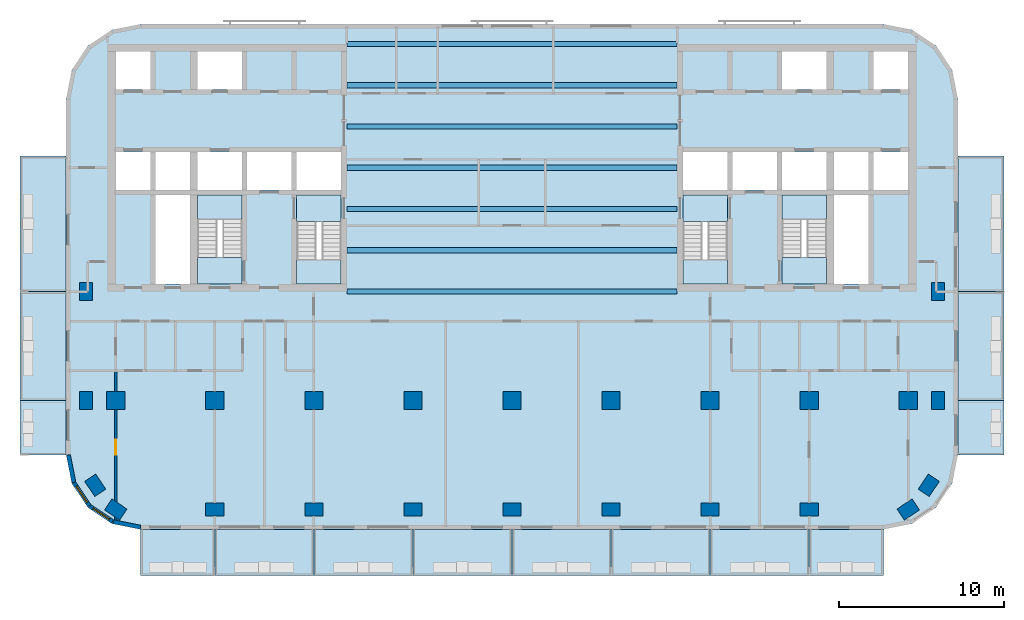
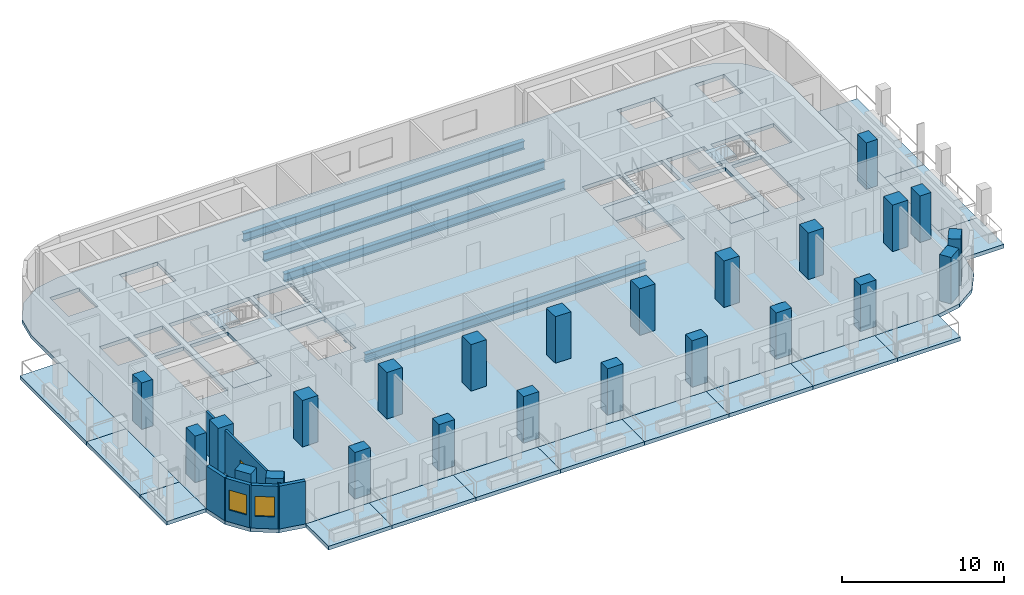
# One storey, part 1 of 11: 24 columns, 23 slabs, 7 beams, 5 walls, 2 windows, 1 door, 3 openings, 4 elements without a shape of their own.
"""IFC4 building model written with IfcOpenShell, lengths in metres."""

import ifcopenshell
import ifcopenshell.guid

model = None  # the IFC model being written
_history = None  # IfcOwnerHistory: only IFC2X3 demands one
_inside = {}  # id of a spatial element -> (the spatial element, [elements in it])
_under = {}  # id of a project, library or spatial element -> (it, [spatial elements below it])
_declared = {}  # id of a project -> (the project, [libraries it declares])
_typed = {}  # id of a type object -> (the type object, [elements of that type])
_made_of = {}  # id of a material, layer set ... -> (it, [elements and type objects made of it])


def new_model(schema):
    """Start an empty IFC model of exactly this schema.

    Asked for "IFC4X3", IfcOpenShell would pick the latest addendum, in which some entities
    have other attributes; the version numbers below select the first issue.
    IFC2X3 requires an IfcOwnerHistory on every rooted entity: one is made here for all.
    """
    global model, _history
    if schema == "IFC4X3":
        model = ifcopenshell.file(schema_version=(4, 3, 0, 0))
    else:
        model = ifcopenshell.file(schema=schema)
    _inside.clear()
    _under.clear()
    _declared.clear()
    _typed.clear()
    _made_of.clear()
    _history = None
    if model.schema == "IFC2X3":
        org = make("IfcOrganization", Name="unknown")
        user = make(
            "IfcPersonAndOrganization",
            ThePerson=make("IfcPerson", FamilyName="unknown"),
            TheOrganization=org,
        )
        app = make(
            "IfcApplication",
            ApplicationDeveloper=org,
            Version="unknown",
            ApplicationFullName="unknown",
            ApplicationIdentifier="unknown",
        )
        _history = make(
            "IfcOwnerHistory",
            OwningUser=user,
            OwningApplication=app,
            ChangeAction="ADDED",
            CreationDate=0,
        )
    return model


def make(cls, **values):
    """One entity of the class cls with the attributes given. An attribute that is None is left unset."""
    return model.create_entity(
        cls, **{name: value for name, value in values.items() if value is not None}
    )


def rooted(cls, **values):
    """An entity with a GlobalId (a new one), such as an element, a storey or a relation."""
    return make(cls, GlobalId=ifcopenshell.guid.new(), OwnerHistory=_history, **values)


def si_unit(unit_type, name, prefix=None):
    """IfcSIUnit, for example si_unit("LENGTHUNIT", "METRE", prefix="MILLI")."""
    return make("IfcSIUnit", UnitType=unit_type, Prefix=prefix, Name=name)


def assignment(units):
    """IfcUnitAssignment: the units of a project."""
    return None if units is None else make("IfcUnitAssignment", Units=units)


def point(xyz):
    """IfcCartesianPoint."""
    return None if xyz is None else make("IfcCartesianPoint", Coordinates=xyz)


def direction(xyz):
    """IfcDirection."""
    return None if xyz is None else make("IfcDirection", DirectionRatios=xyz)


def frame(location, z_axis=None, x_axis=None):
    """IfcAxis2Placement3D, a coordinate frame: its origin and axes. An axis left out is left unset."""
    return make(
        "IfcAxis2Placement3D",
        Location=point(location),
        Axis=direction(z_axis),
        RefDirection=direction(x_axis),
    )


def frame_2d(location, x_axis=None):
    """IfcAxis2Placement2D, a coordinate frame in the plane: its origin and x axis."""
    return make(
        "IfcAxis2Placement2D", Location=point(location), RefDirection=direction(x_axis)
    )


def origin():
    """The frame at (0, 0, 0) with its axes left unset."""
    return frame((0.0, 0.0, 0.0))


def origin_2d():
    """The frame at (0, 0) in the plane with its x axis left unset."""
    return frame_2d((0.0, 0.0))


def place(relative_to, where):
    """IfcLocalPlacement: puts the frame where relative to a parent placement (None: the world)."""
    return make(
        "IfcLocalPlacement", PlacementRelTo=relative_to, RelativePlacement=where
    )


def context(
    kind, dimensions, precision=None, world=None, true_north=None, identifier=None
):
    """IfcGeometricRepresentationContext, for example the 3D "Model" context."""
    return make(
        "IfcGeometricRepresentationContext",
        ContextIdentifier=identifier,
        ContextType=kind,
        CoordinateSpaceDimension=dimensions,
        Precision=precision,
        WorldCoordinateSystem=world,
        TrueNorth=true_north,
    )


def subcontext(parent, identifier, kind, view, scale=None):
    """IfcGeometricRepresentationSubContext, for example "Body" below "Model"."""
    return make(
        "IfcGeometricRepresentationSubContext",
        ContextIdentifier=identifier,
        ContextType=kind,
        ParentContext=parent,
        TargetScale=scale,
        TargetView=view,
    )


def project(units=None, contexts=None):
    """IfcProject with its units and contexts."""
    return rooted(
        "IfcProject",
        Name="project",
        RepresentationContexts=contexts,
        UnitsInContext=assignment(units),
    )


def spatial(cls, under=None, at=None, **own):
    """A site, building, storey or space (cls), placed at a placement, below another one or the project."""
    s = rooted(cls, ObjectPlacement=at, **own)
    if under is not None:
        _under.setdefault(under.id(), (under, []))[1].append(s)
    return s


def polyline(points):
    """IfcPolyline through the points."""
    return make("IfcPolyline", Points=[point(p) for p in points])


def profile(cls, at=None, kind="AREA", **sizes):
    """A parametric profile (cls). Its sizes go by their IFC names, for example OverallWidth=200.0."""
    return make(cls, ProfileType=kind, Position=at, **sizes)


def rectangle(**sizes):
    """IfcRectangleProfileDef."""
    return profile("IfcRectangleProfileDef", **sizes)


def i_section(**sizes):
    """IfcIShapeProfileDef."""
    return profile("IfcIShapeProfileDef", **sizes)


def outline(outer, holes=None, kind="AREA"):
    """IfcArbitraryClosedProfileDef: a profile drawn as a closed curve; with holes, ...WithVoids."""
    if holes is None:
        return make("IfcArbitraryClosedProfileDef", ProfileType=kind, OuterCurve=outer)
    return make(
        "IfcArbitraryProfileDefWithVoids",
        ProfileType=kind,
        OuterCurve=outer,
        InnerCurves=holes,
    )


def extrude(swept, where, along, depth):
    """IfcExtrudedAreaSolid: the profile swept, set in the frame where, extruded along a direction by depth."""
    return make(
        "IfcExtrudedAreaSolid",
        SweptArea=swept,
        Position=where,
        ExtrudedDirection=direction(along),
        Depth=depth,
    )


def shape(context_of_items, identifier, shape_type, items):
    """IfcShapeRepresentation: the items that make up one representation, for example the "Body"."""
    return make(
        "IfcShapeRepresentation",
        ContextOfItems=context_of_items,
        RepresentationIdentifier=identifier,
        RepresentationType=shape_type,
        Items=items,
    )


def material(Name=None, Category=None):
    """IfcMaterial."""
    return make("IfcMaterial", Name=Name, Category=Category)


def layer(
    of_material, thickness, ventilated=None, Name=None, Category=None, Priority=None
):
    """IfcMaterialLayer: one layer of a wall or slab, of a material (None: an air gap)."""
    return make(
        "IfcMaterialLayer",
        Material=of_material,
        LayerThickness=thickness,
        IsVentilated=ventilated,
        Name=Name,
        Category=Category,
        Priority=Priority,
    )


def layer_set(layers, Name=None):
    """IfcMaterialLayerSet."""
    return make("IfcMaterialLayerSet", MaterialLayers=layers, LayerSetName=Name)


def material_profile(
    of_material, cross_section, Name=None, Category=None, Priority=None
):
    """IfcMaterialProfile: a cross section and its material."""
    return make(
        "IfcMaterialProfile",
        Name=Name,
        Material=of_material,
        Profile=cross_section,
        Priority=Priority,
        Category=Category,
    )


def profile_set(profiles, Name=None, composite=None):
    """IfcMaterialProfileSet."""
    return make(
        "IfcMaterialProfileSet",
        Name=Name,
        MaterialProfiles=profiles,
        CompositeProfile=composite,
    )


def made_of(thing, what):
    """Note that an element or type object is made of a material, layer set ...; save() writes the relation."""
    if what is not None:
        _made_of.setdefault(what.id(), (what, []))[1].append(thing)
    return thing


def type_object(cls, material=None, **own):
    """A type object (cls), such as IfcWallType, which elements share."""
    return made_of(rooted(cls, **own), material)


def element(
    cls,
    number,
    at=None,
    inside=None,
    cuts=None,
    type_object=None,
    material=None,
    context=None,
    identifier="Body",
    shape_type=None,
    held_by="IfcProductDefinitionShape",
    body=None,
    shapes=None,
    **own,
):
    """One element of the class cls, such as IfcWall. Its Tag is "e" and its number.

    at: its placement. inside: the storey or other place that contains it. cuts: it is an
    opening in that element (IfcRelVoidsElement). A single representation is given by context,
    identifier, shape_type and body (its items); several are given by shapes. held_by: the class
    of the entity that holds the representations. save() writes the other relations.
    """
    e = rooted(cls, Tag="e%d" % number, ObjectPlacement=at, **own)
    if body is not None:
        shapes = [shape(context, identifier, shape_type, body)]
    if shapes is not None:
        e.Representation = make(held_by, Representations=shapes)
    if inside is not None:
        _inside.setdefault(inside.id(), (inside, []))[1].append(e)
    if cuts is not None:
        rooted(
            "IfcRelVoidsElement", RelatingBuildingElement=cuts, RelatedOpeningElement=e
        )
    if type_object is not None:
        _typed.setdefault(type_object.id(), (type_object, []))[1].append(e)
    return made_of(e, material)


def fill(opening, filler):
    """IfcRelFillsElement: the door or window that sits in an opening."""
    return rooted(
        "IfcRelFillsElement",
        RelatingOpeningElement=opening,
        RelatedBuildingElement=filler,
    )


def aggregate(whole, parts):
    """IfcRelAggregates: a whole, such as a stair, and the parts it consists of."""
    return rooted("IfcRelAggregates", RelatingObject=whole, RelatedObjects=parts)


def save(model, path):
    """Write the relations noted so far, then the file.

    IfcRelAggregates (storeys below a building ...), IfcRelContainedInSpatialStructure (elements
    in a storey), IfcRelDefinesByType, IfcRelAssociatesMaterial and IfcRelDeclares: one each for
    every whole, place, type object, material and project.
    """
    for whole, parts in _under.values():
        aggregate(whole, parts)
    for where, things in _inside.values():
        rooted(
            "IfcRelContainedInSpatialStructure",
            RelatedElements=things,
            RelatingStructure=where,
        )
    for kind, things in _typed.values():
        rooted("IfcRelDefinesByType", RelatedObjects=things, RelatingType=kind)
    for what, things in _made_of.values():
        rooted("IfcRelAssociatesMaterial", RelatedObjects=things, RelatingMaterial=what)
    for by, libraries in _declared.values():
        rooted("IfcRelDeclares", RelatingContext=by, RelatedDefinitions=libraries)
    model.write(path)


model = new_model("IFC4")

# Units and contexts
model_context = context("Model", 3, precision=1e-05, world=origin(), true_north=direction((0.0, 1.0)))
body_context = subcontext(model_context, "Body", "Model", "MODEL_VIEW")
ifc_project = project(units=[si_unit("LENGTHUNIT", "METRE"), si_unit("AREAUNIT", "SQUARE_METRE"), si_unit("VOLUMEUNIT", "CUBIC_METRE"), si_unit("PLANEANGLEUNIT", "RADIAN"), si_unit("MASSUNIT", "GRAM", prefix="KILO")], contexts=[model_context])

# Site, building, storey
site_placement = place(None, origin())
site = spatial("IfcSite", under=ifc_project, at=site_placement, CompositionType="ELEMENT")
building_placement = place(site_placement, origin())
building = spatial("IfcBuilding", under=site, at=building_placement, Name="Torana Hotel and Residences", CompositionType="ELEMENT")
storey_placement = place(building_placement, frame((0.0, 0.0, 187.10009765625)))
storey = spatial("IfcBuildingStorey", under=building, at=storey_placement, Name="L48", CompositionType="ELEMENT", Elevation=187.10009765625)

# Columns
ifc_material_1 = material(Name="Concrete C60/75", Category="concrete")
ifc_material_profile_1 = material_profile(ifc_material_1, rectangle(XDim=1.10009765625, YDim=1.10009765625, at=origin_2d()), Name="RC 1100x1100")
ifc_profile_set_1 = profile_set([ifc_material_profile_1], Name="Concrete C60/75")
column_type_1 = type_object("IfcColumnType", Name="COLUMN RC 1100x1100 C60/75", PredefinedType="COLUMN", material=ifc_profile_set_1)
for number, where, z_axis, x_axis, name in (
    (1, (-24.0, -21.60009765625, 0.0), (0.0, 0.0, 1.0), (1.0, 0.0, 0.0), "Column L48"),
    (2, (-18.0, -21.60009765625, 0.0), (0.0, 0.0, 1.0), (1.0, 0.0, 0.0), "Column L48"),
    (3, (-12.0, -21.60009765625, 0.0), (0.0, 0.0, 1.0), (1.0, 0.0, 0.0), "Column L48"),
    (4, (-6.0, -21.60009765625, 0.0), (0.0, 0.0, 1.0), (1.0, 0.0, 0.0), "Column L48"),
    (5, (0.0, -21.60009765625, 0.0), (0.0, 0.0, 1.0), (1.0, 0.0, 0.0), "Column L48"),
    (6, (6.0, -21.60009765625, 0.0), (0.0, 0.0, 1.0), (1.0, 0.0, 0.0), "Column L48"),
    (7, (12.0, -21.60009765625, 0.0), (0.0, 0.0, 1.0), (1.0, 0.0, 0.0), "Column L48"),
    (8, (18.0, -21.60009765625, 0.0), (0.0, 0.0, 1.0), (1.0, 0.0, 0.0), "Column L48"),
    (9, (24.0, -21.60009765625, 0.0), (0.0, 0.0, 1.0), (1.0, 0.0, 0.0), "Column L48"),
):
    element("IfcColumn", number, at=place(storey_placement, frame(where, z_axis=z_axis, x_axis=x_axis)), inside=storey, type_object=column_type_1, Name=name, PredefinedType="COLUMN", context=body_context, shape_type="SweptSolid", body=[
        extrude(rectangle(XDim=1.10009765625, YDim=1.10009765625, at=origin_2d()), origin(), (0.0, 0.0, 1.0), 3.5),
    ])
ifc_material_2 = material(Name="Concrete C60/75", Category="concrete")
ifc_material_profile_2 = material_profile(ifc_material_2, rectangle(XDim=1.10009765625, YDim=0.800048828125, at=origin_2d()), Name="RC 1100x800")
ifc_profile_set_2 = profile_set([ifc_material_profile_2], Name="Concrete C60/75")
column_type_2 = type_object("IfcColumnType", Name="COLUMN RC 1100x800 C60/75", PredefinedType="COLUMN", material=ifc_profile_set_2)
for number, where, z_axis, x_axis, name in (
    (10, (-25.800048828125, -21.60009765625, 0.0), (0.0, 0.0, 1.0), (0.0, 1.0, 0.0), "Column L48"),
    (11, (-25.800048828125, -15.0, 0.0), (0.0, 0.0, 1.0), (0.0, 1.0, 0.0), "Column L48"),
    (12, (-25.243896484375, -26.73291015625, 0.0), (0.0, 0.0, 1.0), (-0.555584744817, 0.831459915646, 0.0), "Column L48"),
    (13, (-24.0, -28.199951171875, 0.0), (0.0, 0.0, 1.0), (-0.831459915646, 0.555584744817, 0.0), "Column L48"),
    (14, (-18.0, -28.199951171875, 0.0), (0.0, 0.0, 1.0), (1.0, 0.0, 0.0), "Column L48"),
    (15, (-12.0, -28.199951171875, 0.0), (0.0, 0.0, 1.0), (1.0, 0.0, 0.0), "Column L48"),
    (16, (-6.0, -28.199951171875, 0.0), (0.0, 0.0, 1.0), (1.0, 0.0, 0.0), "Column L48"),
    (17, (0.0, -28.199951171875, 0.0), (0.0, 0.0, 1.0), (1.0, 0.0, 0.0), "Column L48"),
    (18, (6.0, -28.199951171875, 0.0), (0.0, 0.0, 1.0), (1.0, 0.0, 0.0), "Column L48"),
    (19, (12.0, -28.199951171875, 0.0), (0.0, 0.0, 1.0), (1.0, 0.0, 0.0), "Column L48"),
    (20, (18.0, -28.199951171875, 0.0), (0.0, 0.0, 1.0), (1.0, 0.0, 0.0), "Column L48"),
    (21, (24.0, -28.199951171875, 0.0), (0.0, 0.0, 1.0), (0.831459915646, 0.555584744817, 0.0), "Column L48"),
    (22, (25.243896484375, -26.73291015625, 0.0), (0.0, 0.0, 1.0), (0.555584744817, 0.831459915646, 0.0), "Column L48"),
    (23, (25.800048828125, -21.60009765625, 0.0), (0.0, 0.0, 1.0), (0.0, 1.0, 0.0), "Column L48"),
    (24, (25.800048828125, -15.0, 0.0), (0.0, 0.0, 1.0), (0.0, 1.0, 0.0), "Column L48"),
):
    element("IfcColumn", number, at=place(storey_placement, frame(where, z_axis=z_axis, x_axis=x_axis)), inside=storey, type_object=column_type_2, Name=name, PredefinedType="COLUMN", context=body_context, shape_type="SweptSolid", body=[
        extrude(rectangle(XDim=1.10009765625, YDim=0.800048828125, at=origin_2d()), origin(), (0.0, 0.0, 1.0), 3.5),
    ])

# Beams
ifc_material_3 = material(Name="Steel S355", Category="steel")
ifc_material_profile_3 = material_profile(ifc_material_3, i_section(OverallWidth=0.311279296875, OverallDepth=0.6357421875, WebThickness=0.018310546875, FlangeThickness=0.031494140625, FilletRadius=0.0166015625, at=origin_2d()), Name="610x305x238 UB")
ifc_profile_set_3 = profile_set([ifc_material_profile_3], Name="Steel S355")
beam_type = type_object("IfcBeamType", Name="STEEL GIRDER 610x305x238 UB", PredefinedType="BEAM", material=ifc_profile_set_3)
for number, where, z_axis, x_axis, name in (
    (25, (-10.0, -15.0, -0.597900390625), (1.0, 0.0, 0.0), (0.0, 1.0, 0.0), "Floor girder"),
    (26, (-10.0, -12.5, -0.597900390625), (1.0, 0.0, 0.0), (0.0, 1.0, 0.0), "Floor girder"),
    (27, (-10.0, -10.0, -0.597900390625), (1.0, 0.0, 0.0), (0.0, 1.0, 0.0), "Floor girder"),
    (28, (-10.0, -7.5, -0.597900390625), (1.0, 0.0, 0.0), (0.0, 1.0, 0.0), "Floor girder"),
    (29, (-10.0, -5.0, -0.597900390625), (1.0, 0.0, 0.0), (0.0, 1.0, 0.0), "Floor girder"),
    (30, (-10.0, -2.5, -0.597900390625), (1.0, 0.0, 0.0), (0.0, 1.0, 0.0), "Floor girder"),
    (31, (-10.0, 0.0, -0.597900390625), (1.0, 0.0, 0.0), (0.0, 1.0, 0.0), "Floor girder"),
):
    element("IfcBeam", number, at=place(storey_placement, frame(where, z_axis=z_axis, x_axis=x_axis)), inside=storey, type_object=beam_type, Name=name, PredefinedType="BEAM", context=body_context, shape_type="SweptSolid", body=[
        extrude(i_section(OverallWidth=0.311279296875, OverallDepth=0.6357421875, WebThickness=0.018310546875, FlangeThickness=0.031494140625, FilletRadius=0.0166015625, at=origin_2d()), origin(), (0.0, 0.0, 1.0), 20.0),
    ])

# Slabs
ifc_material_4 = material(Name="Concrete C40/50", Category="concrete")
ifc_layer_1 = layer(ifc_material_4, 0.280029296875)
ifc_layer_set_1 = layer_set([ifc_layer_1], Name="BAL1 BALCONY SLAB 280")
slab_type_1 = type_object("IfcSlabType", Name="BAL1 BALCONY SLAB 280", PredefinedType="USERDEFINED", material=ifc_layer_set_1)
slab_1_placement = place(storey_placement, frame((0.0, 0.0, -0.280029296875)))
element("IfcSlab", 32, at=slab_1_placement, inside=storey, type_object=slab_type_1, Name="Balcony 01", ObjectType="BALCONY", PredefinedType="USERDEFINED", context=body_context, shape_type="SweptSolid", body=[
    extrude(outline(polyline([(-22.5, -32.199951171875), (-18.0, -32.199951171875), (-18.0, -29.39990234375), (-22.5, -29.39990234375), (-22.5, -32.199951171875)])), origin(), (0.0, 0.0, 1.0), 0.280029296875),
])
slab_2_placement = place(storey_placement, frame((0.0, 0.0, -0.280029296875)))
element("IfcSlab", 33, at=slab_2_placement, inside=storey, type_object=slab_type_1, Name="Balcony 02", ObjectType="BALCONY", PredefinedType="USERDEFINED", context=body_context, shape_type="SweptSolid", body=[
    extrude(outline(polyline([(-18.0, -32.199951171875), (-12.0, -32.199951171875), (-12.0, -29.39990234375), (-18.0, -29.39990234375), (-18.0, -32.199951171875)])), origin(), (0.0, 0.0, 1.0), 0.280029296875),
])
slab_3_placement = place(storey_placement, frame((0.0, 0.0, -0.280029296875)))
element("IfcSlab", 34, at=slab_3_placement, inside=storey, type_object=slab_type_1, Name="Balcony 03", ObjectType="BALCONY", PredefinedType="USERDEFINED", context=body_context, shape_type="SweptSolid", body=[
    extrude(outline(polyline([(-12.0, -32.199951171875), (-6.0, -32.199951171875), (-6.0, -29.39990234375), (-12.0, -29.39990234375), (-12.0, -32.199951171875)])), origin(), (0.0, 0.0, 1.0), 0.280029296875),
])
slab_4_placement = place(storey_placement, frame((0.0, 0.0, -0.280029296875)))
element("IfcSlab", 35, at=slab_4_placement, inside=storey, type_object=slab_type_1, Name="Balcony 04", ObjectType="BALCONY", PredefinedType="USERDEFINED", context=body_context, shape_type="SweptSolid", body=[
    extrude(outline(polyline([(-6.0, -32.199951171875), (0.0, -32.199951171875), (0.0, -29.39990234375), (-6.0, -29.39990234375), (-6.0, -32.199951171875)])), origin(), (0.0, 0.0, 1.0), 0.280029296875),
])
slab_5_placement = place(storey_placement, frame((0.0, 0.0, -0.280029296875)))
element("IfcSlab", 36, at=slab_5_placement, inside=storey, type_object=slab_type_1, Name="Balcony 05", ObjectType="BALCONY", PredefinedType="USERDEFINED", context=body_context, shape_type="SweptSolid", body=[
    extrude(outline(polyline([(0.0, -32.199951171875), (6.0, -32.199951171875), (6.0, -29.39990234375), (0.0, -29.39990234375), (0.0, -32.199951171875)])), origin(), (0.0, 0.0, 1.0), 0.280029296875),
])
slab_6_placement = place(storey_placement, frame((0.0, 0.0, -0.280029296875)))
element("IfcSlab", 37, at=slab_6_placement, inside=storey, type_object=slab_type_1, Name="Balcony 06", ObjectType="BALCONY", PredefinedType="USERDEFINED", context=body_context, shape_type="SweptSolid", body=[
    extrude(outline(polyline([(6.0, -32.199951171875), (12.0, -32.199951171875), (12.0, -29.39990234375), (6.0, -29.39990234375), (6.0, -32.199951171875)])), origin(), (0.0, 0.0, 1.0), 0.280029296875),
])
slab_7_placement = place(storey_placement, frame((0.0, 0.0, -0.280029296875)))
element("IfcSlab", 38, at=slab_7_placement, inside=storey, type_object=slab_type_1, Name="Balcony 07", ObjectType="BALCONY", PredefinedType="USERDEFINED", context=body_context, shape_type="SweptSolid", body=[
    extrude(outline(polyline([(12.0, -32.199951171875), (18.0, -32.199951171875), (18.0, -29.39990234375), (12.0, -29.39990234375), (12.0, -32.199951171875)])), origin(), (0.0, 0.0, 1.0), 0.280029296875),
])
slab_8_placement = place(storey_placement, frame((0.0, 0.0, -0.280029296875)))
element("IfcSlab", 39, at=slab_8_placement, inside=storey, type_object=slab_type_1, Name="Balcony 08", ObjectType="BALCONY", PredefinedType="USERDEFINED", context=body_context, shape_type="SweptSolid", body=[
    extrude(outline(polyline([(18.0, -32.199951171875), (22.5, -32.199951171875), (22.5, -29.39990234375), (18.0, -29.39990234375), (18.0, -32.199951171875)])), origin(), (0.0, 0.0, 1.0), 0.280029296875),
])
slab_9_placement = place(storey_placement, frame((0.0, 0.0, -0.280029296875)))
element("IfcSlab", 40, at=slab_9_placement, inside=storey, type_object=slab_type_1, Name="Balcony 09", ObjectType="BALCONY", PredefinedType="USERDEFINED", context=body_context, shape_type="SweptSolid", body=[
    extrude(outline(polyline([(-29.800048828125, -24.89990234375), (-27.0, -24.89990234375), (-27.0, -21.60009765625), (-29.800048828125, -21.60009765625), (-29.800048828125, -24.89990234375)])), origin(), (0.0, 0.0, 1.0), 0.280029296875),
])
slab_10_placement = place(storey_placement, frame((0.0, 0.0, -0.280029296875)))
element("IfcSlab", 41, at=slab_10_placement, inside=storey, type_object=slab_type_1, Name="Balcony 10", ObjectType="BALCONY", PredefinedType="USERDEFINED", context=body_context, shape_type="SweptSolid", body=[
    extrude(outline(polyline([(-29.800048828125, -21.60009765625), (-27.0, -21.60009765625), (-27.0, -15.0), (-29.800048828125, -15.0), (-29.800048828125, -21.60009765625)])), origin(), (0.0, 0.0, 1.0), 0.280029296875),
])
slab_11_placement = place(storey_placement, frame((0.0, 0.0, -0.280029296875)))
element("IfcSlab", 42, at=slab_11_placement, inside=storey, type_object=slab_type_1, Name="Balcony 11", ObjectType="BALCONY", PredefinedType="USERDEFINED", context=body_context, shape_type="SweptSolid", body=[
    extrude(outline(polyline([(-29.800048828125, -15.0), (-27.0, -15.0), (-27.0, -6.800048828125), (-29.800048828125, -6.800048828125), (-29.800048828125, -15.0)])), origin(), (0.0, 0.0, 1.0), 0.280029296875),
])
slab_12_placement = place(storey_placement, frame((0.0, 0.0, -0.280029296875)))
element("IfcSlab", 43, at=slab_12_placement, inside=storey, type_object=slab_type_1, Name="Balcony 12", ObjectType="BALCONY", PredefinedType="USERDEFINED", context=body_context, shape_type="SweptSolid", body=[
    extrude(outline(polyline([(27.0, -24.89990234375), (29.800048828125, -24.89990234375), (29.800048828125, -21.60009765625), (27.0, -21.60009765625), (27.0, -24.89990234375)])), origin(), (0.0, 0.0, 1.0), 0.280029296875),
])
slab_13_placement = place(storey_placement, frame((0.0, 0.0, -0.280029296875)))
element("IfcSlab", 44, at=slab_13_placement, inside=storey, type_object=slab_type_1, Name="Balcony 13", ObjectType="BALCONY", PredefinedType="USERDEFINED", context=body_context, shape_type="SweptSolid", body=[
    extrude(outline(polyline([(27.0, -21.60009765625), (29.800048828125, -21.60009765625), (29.800048828125, -15.0), (27.0, -15.0), (27.0, -21.60009765625)])), origin(), (0.0, 0.0, 1.0), 0.280029296875),
])
slab_14_placement = place(storey_placement, frame((0.0, 0.0, -0.280029296875)))
element("IfcSlab", 45, at=slab_14_placement, inside=storey, type_object=slab_type_1, Name="Balcony 14", ObjectType="BALCONY", PredefinedType="USERDEFINED", context=body_context, shape_type="SweptSolid", body=[
    extrude(outline(polyline([(27.0, -15.0), (29.800048828125, -15.0), (29.800048828125, -6.800048828125), (27.0, -6.800048828125), (27.0, -15.0)])), origin(), (0.0, 0.0, 1.0), 0.280029296875),
])
ifc_material_5 = material(Name="Concrete C40/50", Category="concrete")
ifc_layer_2 = layer(ifc_material_5, 0.280029296875)
ifc_layer_set_2 = layer_set([ifc_layer_2], Name="FLOOR SLAB PT 280")
slab_type_2 = type_object("IfcSlabType", Name="FLOOR SLAB PT 280", PredefinedType="FLOOR", material=ifc_layer_set_2)
slab_15_placement = place(storey_placement, frame((0.0, 0.0, -0.280029296875)))
element("IfcSlab", 46, at=slab_15_placement, inside=storey, type_object=slab_type_2, Name="Floor slab", PredefinedType="FLOOR", context=body_context, shape_type="SweptSolid", body=[
    extrude(outline(polyline([(27.0, -3.300048828125), (26.657470703125, -1.577880859375), (25.681884765625, -0.117919921875), (24.22216796875, 0.857421875), (22.5, 1.199951171875), (-22.5, 1.199951171875), (-24.22216796875, 0.857421875), (-25.681884765625, -0.117919921875), (-26.657470703125, -1.577880859375), (-27.0, -3.300048828125), (-27.0, -24.89990234375), (-26.657470703125, -26.6220703125), (-25.681884765625, -28.08203125), (-24.22216796875, -29.0576171875), (-22.5, -29.39990234375), (22.5, -29.39990234375), (24.22216796875, -29.0576171875), (25.681884765625, -28.08203125), (26.657470703125, -26.6220703125), (27.0, -24.89990234375), (27.0, -3.300048828125)]), holes=[polyline([(-13.050048828125, -14.550048828125), (-10.35009765625, -14.550048828125), (-10.35009765625, -9.14990234375), (-13.050048828125, -9.14990234375), (-13.050048828125, -14.550048828125)]), polyline([(-19.050048828125, -14.550048828125), (-16.35009765625, -14.550048828125), (-16.35009765625, -9.14990234375), (-19.050048828125, -9.14990234375), (-19.050048828125, -14.550048828125)]), polyline([(-19.050048828125, -2.75), (-16.35009765625, -2.75), (-16.35009765625, -0.449951171875), (-19.050048828125, -0.449951171875), (-19.050048828125, -2.75)]), polyline([(-21.60009765625, -8.85009765625), (-19.5, -8.85009765625), (-19.5, -6.550048828125), (-21.60009765625, -6.550048828125), (-21.60009765625, -8.85009765625)]), polyline([(-24.0, -2.75), (-21.89990234375, -2.75), (-21.89990234375, -0.449951171875), (-24.0, -0.449951171875), (-24.0, -2.75)]), polyline([(-24.0, -8.85009765625), (-21.89990234375, -8.85009765625), (-21.89990234375, -6.550048828125), (-24.0, -6.550048828125), (-24.0, -8.85009765625)]), polyline([(-13.050048828125, -8.85009765625), (-10.35009765625, -8.85009765625), (-10.35009765625, -6.550048828125), (-13.050048828125, -6.550048828125), (-13.050048828125, -8.85009765625)]), polyline([(-16.050048828125, -8.85009765625), (-13.35009765625, -8.85009765625), (-13.35009765625, -6.550048828125), (-16.050048828125, -6.550048828125), (-16.050048828125, -8.85009765625)]), polyline([(-19.050048828125, -8.85009765625), (-16.35009765625, -8.85009765625), (-16.35009765625, -6.550048828125), (-19.050048828125, -6.550048828125), (-19.050048828125, -8.85009765625)]), polyline([(-21.60009765625, -14.550048828125), (-19.5, -14.550048828125), (-19.5, -9.14990234375), (-21.60009765625, -9.14990234375), (-21.60009765625, -14.550048828125)]), polyline([(10.35009765625, -14.550048828125), (13.050048828125, -14.550048828125), (13.050048828125, -9.14990234375), (10.35009765625, -9.14990234375), (10.35009765625, -14.550048828125)]), polyline([(16.35009765625, -14.550048828125), (19.050048828125, -14.550048828125), (19.050048828125, -9.14990234375), (16.35009765625, -9.14990234375), (16.35009765625, -14.550048828125)]), polyline([(16.35009765625, -2.75), (19.050048828125, -2.75), (19.050048828125, -0.449951171875), (16.35009765625, -0.449951171875), (16.35009765625, -2.75)]), polyline([(19.5, -8.85009765625), (21.60009765625, -8.85009765625), (21.60009765625, -6.550048828125), (19.5, -6.550048828125), (19.5, -8.85009765625)]), polyline([(21.89990234375, -2.75), (24.0, -2.75), (24.0, -0.449951171875), (21.89990234375, -0.449951171875), (21.89990234375, -2.75)]), polyline([(21.89990234375, -8.85009765625), (24.0, -8.85009765625), (24.0, -6.550048828125), (21.89990234375, -6.550048828125), (21.89990234375, -8.85009765625)]), polyline([(10.35009765625, -8.85009765625), (13.050048828125, -8.85009765625), (13.050048828125, -6.550048828125), (10.35009765625, -6.550048828125), (10.35009765625, -8.85009765625)]), polyline([(13.35009765625, -8.85009765625), (16.050048828125, -8.85009765625), (16.050048828125, -6.550048828125), (13.35009765625, -6.550048828125), (13.35009765625, -8.85009765625)]), polyline([(16.35009765625, -8.85009765625), (19.050048828125, -8.85009765625), (19.050048828125, -6.550048828125), (16.35009765625, -6.550048828125), (16.35009765625, -8.85009765625)]), polyline([(19.5, -14.550048828125), (21.60009765625, -14.550048828125), (21.60009765625, -9.14990234375), (19.5, -9.14990234375), (19.5, -14.550048828125)])]), origin(), (0.0, 0.0, 1.0), 0.280029296875),
])

# Stair, slabs
ifc_material_6 = material(Name="Concrete C40/50 precast", Category="concrete")
stair_type_1 = type_object("IfcStairType", Name="STAIR ST1 HALF TURN 1200", PredefinedType="HALF_TURN_STAIR", material=ifc_material_6)
stair_1_placement = place(storey_placement, origin())
stair_1 = element("IfcStair", 47, at=stair_1_placement, inside=storey, type_object=stair_type_1, Name="Stair ST1 L48", PredefinedType="HALF_TURN_STAIR")
ifc_material_7 = material(Name="Concrete C40/50 precast", Category="concrete")
ifc_layer_3 = layer(ifc_material_7, 0.199951171875)
ifc_layer_set_3 = layer_set([ifc_layer_3], Name="STAIR LANDING 200")
slab_type_3 = type_object("IfcSlabType", Name="STAIR LANDING 200", PredefinedType="LANDING", material=ifc_layer_set_3)
slab_16_placement = place(storey_placement, frame((0.0, 0.0, 1.5498046875)))
slab_16 = element("IfcSlab", 48, at=slab_16_placement, type_object=slab_type_3, Name="ST1 landing 1", PredefinedType="LANDING", context=body_context, shape_type="SweptSolid", body=[
    extrude(outline(polyline([(-13.050048828125, -14.550048828125), (-10.35009765625, -14.550048828125), (-10.35009765625, -13.090087890625), (-13.050048828125, -13.090087890625), (-13.050048828125, -14.550048828125)])), origin(), (0.0, 0.0, 1.0), 0.2001953125),
])
slab_17_placement = place(storey_placement, frame((0.0, 0.0, -0.2001953125)))
slab_17 = element("IfcSlab", 49, at=slab_17_placement, type_object=slab_type_3, Name="ST1 landing 2", PredefinedType="LANDING", context=body_context, shape_type="SweptSolid", body=[
    extrude(outline(polyline([(-13.050048828125, -10.75), (-10.35009765625, -10.75), (-10.35009765625, -9.14990234375), (-13.050048828125, -9.14990234375), (-13.050048828125, -10.75)])), origin(), (0.0, 0.0, 1.0), 0.2001953125),
])
aggregate(stair_1, [slab_16, slab_17])

ifc_material_8 = material(Name="Concrete C40/50 precast", Category="concrete")
stair_type_2 = type_object("IfcStairType", Name="STAIR ST2 HALF TURN 1200", PredefinedType="HALF_TURN_STAIR", material=ifc_material_8)
stair_2_placement = place(storey_placement, origin())
stair_2 = element("IfcStair", 50, at=stair_2_placement, inside=storey, type_object=stair_type_2, Name="Stair ST2 L48", PredefinedType="HALF_TURN_STAIR")
slab_18_placement = place(storey_placement, frame((0.0, 0.0, 1.5498046875)))
slab_18 = element("IfcSlab", 51, at=slab_18_placement, type_object=slab_type_3, Name="ST2 landing 1", PredefinedType="LANDING", context=body_context, shape_type="SweptSolid", body=[
    extrude(outline(polyline([(-19.050048828125, -10.610107421875), (-16.35009765625, -10.610107421875), (-16.35009765625, -9.14990234375), (-19.050048828125, -9.14990234375), (-19.050048828125, -10.610107421875)])), origin(), (0.0, 0.0, 1.0), 0.2001953125),
])
slab_19_placement = place(storey_placement, frame((0.0, 0.0, -0.2001953125)))
slab_19 = element("IfcSlab", 52, at=slab_19_placement, type_object=slab_type_3, Name="ST2 landing 2", PredefinedType="LANDING", context=body_context, shape_type="SweptSolid", body=[
    extrude(outline(polyline([(-19.050048828125, -14.550048828125), (-16.35009765625, -14.550048828125), (-16.35009765625, -12.949951171875), (-19.050048828125, -12.949951171875), (-19.050048828125, -14.550048828125)])), origin(), (0.0, 0.0, 1.0), 0.2001953125),
])
aggregate(stair_2, [slab_18, slab_19])

ifc_material_9 = material(Name="Concrete C40/50 precast", Category="concrete")
stair_type_3 = type_object("IfcStairType", Name="STAIR ST3 HALF TURN 1200", PredefinedType="HALF_TURN_STAIR", material=ifc_material_9)
stair_3_placement = place(storey_placement, origin())
stair_3 = element("IfcStair", 53, at=stair_3_placement, inside=storey, type_object=stair_type_3, Name="Stair ST3 L48", PredefinedType="HALF_TURN_STAIR")
slab_20_placement = place(storey_placement, frame((0.0, 0.0, 1.5498046875)))
slab_20 = element("IfcSlab", 54, at=slab_20_placement, type_object=slab_type_3, Name="ST3 landing 1", PredefinedType="LANDING", context=body_context, shape_type="SweptSolid", body=[
    extrude(outline(polyline([(10.35009765625, -14.550048828125), (13.050048828125, -14.550048828125), (13.050048828125, -13.090087890625), (10.35009765625, -13.090087890625), (10.35009765625, -14.550048828125)])), origin(), (0.0, 0.0, 1.0), 0.2001953125),
])
slab_21_placement = place(storey_placement, frame((0.0, 0.0, -0.2001953125)))
slab_21 = element("IfcSlab", 55, at=slab_21_placement, type_object=slab_type_3, Name="ST3 landing 2", PredefinedType="LANDING", context=body_context, shape_type="SweptSolid", body=[
    extrude(outline(polyline([(10.35009765625, -10.75), (13.050048828125, -10.75), (13.050048828125, -9.14990234375), (10.35009765625, -9.14990234375), (10.35009765625, -10.75)])), origin(), (0.0, 0.0, 1.0), 0.2001953125),
])
aggregate(stair_3, [slab_20, slab_21])

ifc_material_10 = material(Name="Concrete C40/50 precast", Category="concrete")
stair_type_4 = type_object("IfcStairType", Name="STAIR ST4 HALF TURN 1200", PredefinedType="HALF_TURN_STAIR", material=ifc_material_10)
stair_4_placement = place(storey_placement, origin())
stair_4 = element("IfcStair", 56, at=stair_4_placement, inside=storey, type_object=stair_type_4, Name="Stair ST4 L48", PredefinedType="HALF_TURN_STAIR")
slab_22_placement = place(storey_placement, frame((0.0, 0.0, 1.5498046875)))
slab_22 = element("IfcSlab", 57, at=slab_22_placement, type_object=slab_type_3, Name="ST4 landing 1", PredefinedType="LANDING", context=body_context, shape_type="SweptSolid", body=[
    extrude(outline(polyline([(16.35009765625, -10.610107421875), (19.050048828125, -10.610107421875), (19.050048828125, -9.14990234375), (16.35009765625, -9.14990234375), (16.35009765625, -10.610107421875)])), origin(), (0.0, 0.0, 1.0), 0.2001953125),
])
slab_23_placement = place(storey_placement, frame((0.0, 0.0, -0.2001953125)))
slab_23 = element("IfcSlab", 58, at=slab_23_placement, type_object=slab_type_3, Name="ST4 landing 2", PredefinedType="LANDING", context=body_context, shape_type="SweptSolid", body=[
    extrude(outline(polyline([(16.35009765625, -14.550048828125), (19.050048828125, -14.550048828125), (19.050048828125, -12.949951171875), (16.35009765625, -12.949951171875), (16.35009765625, -14.550048828125)])), origin(), (0.0, 0.0, 1.0), 0.2001953125),
])
aggregate(stair_4, [slab_22, slab_23])

# Wall
ifc_material_11 = material(Name="Black aluminium composite panel", Category="aluminium")
ifc_layer_4 = layer(ifc_material_11, 0.00390625, Name="Cladding", Category="cladding")
ifc_material_12 = material(Name="Ventilated air cavity")
ifc_layer_5 = layer(ifc_material_12, 0.0400390625, Name="Ventilated cavity", Category="cavity")
ifc_material_13 = material(Name="Mineral wool insulation")
ifc_layer_6 = layer(ifc_material_13, 0.090087890625, Name="Insulation", Category="insulation")
ifc_material_14 = material(Name="Steel S280GD", Category="steel")
ifc_layer_7 = layer(ifc_material_14, 0.092041015625, Name="Steel stud frame", Category="structure")
ifc_material_15 = material(Name="Fire rated plasterboard")
ifc_layer_8 = layer(ifc_material_15, 0.011962890625, Name="Inner board", Category="finish")
ifc_layer_9 = layer(ifc_material_15, 0.011962890625, Name="Second board", Category="finish")
ifc_layer_set_4 = layer_set([ifc_layer_4, ifc_layer_5, ifc_layer_6, ifc_layer_7, ifc_layer_8, ifc_layer_9], Name="EW1 EXTERNAL WALL BLACK METAL CLAD 250")
wall_type_1 = type_object("IfcWallType", Name="EW1 EXTERNAL WALL BLACK METAL CLAD 250", PredefinedType="SOLIDWALL", material=ifc_layer_set_4)
wall_1_placement = place(storey_placement, frame((-26.87255859375, -24.89990234375, 0.0), z_axis=(0.0, 0.0, 1.0), x_axis=(0.195026884138, -0.980797896849, 0.0)))
element("IfcWall", 59, at=wall_1_placement, inside=storey, type_object=wall_type_1, Name="External wall L48 e0.10", PredefinedType="SOLIDWALL", context=body_context, shape_type="SweptSolid", body=[
    extrude(rectangle(XDim=1.68115234375, YDim=0.25, at=frame_2d((0.840576171875, 0.0))), origin(), (0.0, 0.0, 1.0), 3.219970703125),
])

# Wall, opening, window
wall_2_placement = place(storey_placement, frame((-26.52587890625, -26.593994140625, 0.0), z_axis=(0.0, 0.0, 1.0), x_axis=(0.55555029066, -0.831482937015, 0.0)))
wall_2 = element("IfcWall", 60, at=wall_2_placement, inside=storey, type_object=wall_type_1, Name="External wall L48 e0.11", PredefinedType="SOLIDWALL", context=body_context, shape_type="SweptSolid", body=[
    extrude(rectangle(XDim=1.65625, YDim=0.25, at=frame_2d((0.828125, 0.0))), origin(), (0.0, 0.0, 1.0), 3.219970703125),
])
opening_1_placement = place(wall_2_placement, frame((0.228271484375, 0.0, 0.89990234375)))
opening_1 = element("IfcOpeningElement", 61, at=opening_1_placement, cuts=wall_2, Name="Opening W5", PredefinedType="OPENING", context=body_context, shape_type="SweptSolid", body=[
    extrude(rectangle(XDim=1.199951171875, YDim=1.5, at=frame_2d((0.60009765625, 0.75))), frame((0.0, 0.135009765625, 0.0), z_axis=(0.0, -1.0, 0.0), x_axis=(1.0, 0.0, 0.0)), (0.0, 0.0, 1.0), 0.27001953125),
])
ifc_material_16 = material(Name="Dark glass in black aluminium frame", Category="aluminium")
window_type = type_object("IfcWindowType", Name="W5 CORNER FACET WINDOW 1200x1500", PartitioningType="SINGLE_PANEL", PredefinedType="WINDOW", material=ifc_material_16)
window_1_placement = place(opening_1_placement, origin())
window_1 = element("IfcWindow", 62, at=window_1_placement, inside=storey, type_object=window_type, Name="Window L48 e0.11", OverallHeight=1.5, OverallWidth=1.199951171875, PartitioningType="SINGLE_PANEL", PredefinedType="WINDOW", context=body_context, shape_type="SweptSolid", body=[
    extrude(rectangle(XDim=1.199951171875, YDim=1.5, at=frame_2d((0.60009765625, 0.75))), frame((0.0, 0.030029296875, 0.0), z_axis=(0.0, -1.0, 0.0), x_axis=(1.0, 0.0, 0.0)), (0.0, 0.0, 1.0), 0.06005859375),
])
fill(opening_1, window_1)

wall_3_placement = place(storey_placement, frame((-25.5712890625, -28.005615234375, 0.0), z_axis=(0.0, 0.0, 1.0), x_axis=(0.831482937015, -0.55555029066, 0.0)))
wall_3 = element("IfcWall", 63, at=wall_3_placement, inside=storey, type_object=wall_type_1, Name="External wall L48 e0.12", PredefinedType="SOLIDWALL", context=body_context, shape_type="SweptSolid", body=[
    extrude(rectangle(XDim=1.65625, YDim=0.25, at=frame_2d((0.828125, 0.0))), origin(), (0.0, 0.0, 1.0), 3.219970703125),
])
opening_2_placement = place(wall_3_placement, frame((0.228271484375, 0.0, 0.89990234375)))
opening_2 = element("IfcOpeningElement", 64, at=opening_2_placement, cuts=wall_3, Name="Opening W5", PredefinedType="OPENING", context=body_context, shape_type="SweptSolid", body=[
    extrude(rectangle(XDim=1.199951171875, YDim=1.5, at=frame_2d((0.60009765625, 0.75))), frame((0.0, 0.135009765625, 0.0), z_axis=(0.0, -1.0, 0.0), x_axis=(1.0, 0.0, 0.0)), (0.0, 0.0, 1.0), 0.27001953125),
])
window_2_placement = place(opening_2_placement, origin())
window_2 = element("IfcWindow", 65, at=window_2_placement, inside=storey, type_object=window_type, Name="Window L48 e0.12", OverallHeight=1.5, OverallWidth=1.199951171875, PartitioningType="SINGLE_PANEL", PredefinedType="WINDOW", context=body_context, shape_type="SweptSolid", body=[
    extrude(rectangle(XDim=1.199951171875, YDim=1.5, at=frame_2d((0.60009765625, 0.75))), frame((0.0, 0.030029296875, 0.0), z_axis=(0.0, -1.0, 0.0), x_axis=(1.0, 0.0, 0.0)), (0.0, 0.0, 1.0), 0.06005859375),
])
fill(opening_2, window_2)

# Wall
wall_4_placement = place(storey_placement, frame((-24.14892578125, -28.944580078125, 0.0), z_axis=(0.0, 0.0, 1.0), x_axis=(0.980775640221, -0.19513878023, 0.0)))
element("IfcWall", 66, at=wall_4_placement, inside=storey, type_object=wall_type_1, Name="External wall L48 e0.13", PredefinedType="SOLIDWALL", context=body_context, shape_type="SweptSolid", body=[
    extrude(rectangle(XDim=1.681396484375, YDim=0.25, at=frame_2d((0.8408203125, 0.0))), origin(), (0.0, 0.0, 1.0), 3.219970703125),
])

# Wall, opening, door
ifc_material_17 = material(Name="Gypsum plasterboard")
ifc_layer_10 = layer(ifc_material_17, 0.012451171875, Name="Plasterboard", Category="finish")
ifc_layer_11 = layer(ifc_material_17, 0.012451171875, Name="Plasterboard", Category="finish")
ifc_layer_12 = layer(ifc_material_14, 0.10009765625, Name="Steel studs with mineral wool", Category="insulation")
ifc_layer_13 = layer(ifc_material_17, 0.012451171875, Name="Plasterboard", Category="finish")
ifc_layer_14 = layer(ifc_material_17, 0.012451171875, Name="Plasterboard", Category="finish")
ifc_layer_set_5 = layer_set([ifc_layer_10, ifc_layer_11, ifc_layer_12, ifc_layer_13, ifc_layer_14], Name="PARTITION 150 PLASTERBOARD")
wall_type_2 = type_object("IfcWallType", Name="PARTITION 150 PLASTERBOARD", PredefinedType="PARTITIONING", material=ifc_layer_set_5)
wall_5_placement = place(storey_placement, frame((-24.0, -28.918212890625, 0.0), z_axis=(0.0, 0.0, 1.0), x_axis=(0.0, 1.0, 0.0)))
wall_5 = element("IfcWall", 67, at=wall_5_placement, inside=storey, type_object=wall_type_2, Name="Partition L48", PredefinedType="PARTITIONING", context=body_context, shape_type="SweptSolid", body=[
    extrude(rectangle(XDim=9.1181640625, YDim=0.14990234375, at=frame_2d((4.55908203125, 0.0))), origin(), (0.0, 0.0, 1.0), 3.219970703125),
])
opening_3_placement = place(wall_5_placement, frame((4.0361328125, 0.0, 0.0)))
opening_3 = element("IfcOpeningElement", 68, at=opening_3_placement, cuts=wall_5, Name="Opening L48-55", PredefinedType="OPENING", context=body_context, shape_type="SweptSolid", body=[
    extrude(rectangle(XDim=0.89990234375, YDim=2.10009765625, at=frame_2d((0.449951171875, 1.050048828125))), frame((0.0, 0.0849609375, 0.0), z_axis=(0.0, -1.0, 0.0), x_axis=(1.0, 0.0, 0.0)), (0.0, 0.0, 1.0), 0.169921875),
])
ifc_material_18 = material(Name="Timber door, oiled ash", Category="wood")
door_type = type_object("IfcDoorType", Name="ROOM DOOR D7 900x2100", OperationType="SINGLE_SWING_LEFT", PredefinedType="DOOR", material=ifc_material_18)
door_placement = place(opening_3_placement, origin())
door = element("IfcDoor", 69, at=door_placement, inside=storey, type_object=door_type, Name="Door L48", OperationType="SINGLE_SWING_RIGHT", OverallHeight=2.10009765625, OverallWidth=0.89990234375, PredefinedType="DOOR", context=body_context, shape_type="SweptSolid", body=[
    extrude(rectangle(XDim=0.89990234375, YDim=2.10009765625, at=frame_2d((0.449951171875, 1.050048828125))), frame((0.0, 0.02490234375, 0.0), z_axis=(0.0, -1.0, 0.0), x_axis=(1.0, 0.0, 0.0)), (0.0, 0.0, 1.0), 0.050048828125),
])
fill(opening_3, door)

save(model, "model.ifc")
